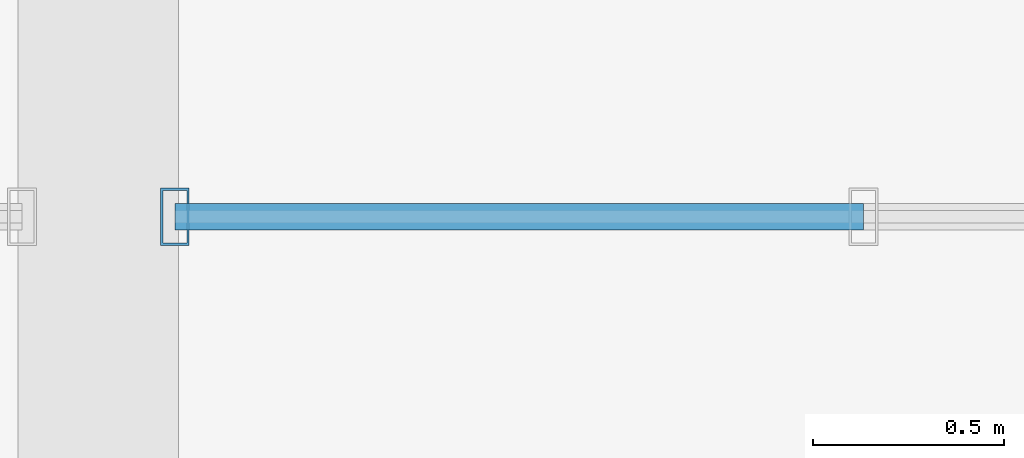
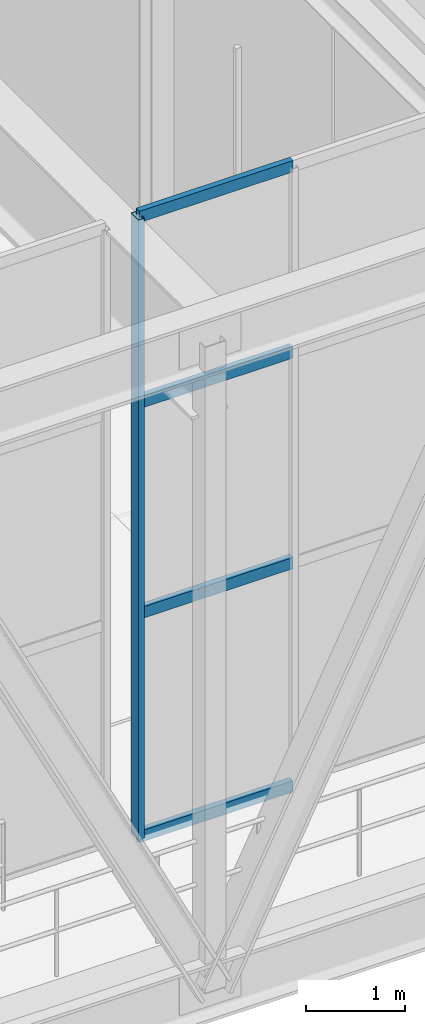
# One storey, part 28 of 138: 5 members, 1 element without a shape of its own.
"""IFC4 building model written with IfcOpenShell, lengths in metres."""

from ifc_helpers import new_model, si_unit, direction, frame, origin, origin_2d, place, context, subcontext, project, spatial, hollow_rectangle, extrude, material, material_profile, profile_set, type_object, element, aggregate, save


model = new_model("IFC4")

# Units and contexts
model_context = context("Model", 3, precision=1e-05, world=origin(), true_north=direction((0.0, 1.0)))
body_context = subcontext(model_context, "Body", "Model", "MODEL_VIEW")
ifc_project = project(units=[si_unit("LENGTHUNIT", "METRE"), si_unit("AREAUNIT", "SQUARE_METRE"), si_unit("VOLUMEUNIT", "CUBIC_METRE"), si_unit("PLANEANGLEUNIT", "RADIAN"), si_unit("MASSUNIT", "GRAM", prefix="KILO")], contexts=[model_context])

# Site, building, storey
site_placement = place(None, origin())
site = spatial("IfcSite", under=ifc_project, at=site_placement, CompositionType="ELEMENT")
building_placement = place(site_placement, origin())
building = spatial("IfcBuilding", under=site, at=building_placement, Name="Sundkrona Museum", CompositionType="ELEMENT")
storey_placement = place(building_placement, frame((0.0, 0.0, 9.60009765625)))
storey = spatial("IfcBuildingStorey", under=building, at=storey_placement, Name="L02", CompositionType="ELEMENT", Elevation=9.60009765625)

# Curtain wall, members
ifc_material_1 = material(Name="Unitised Aluminium-Steel and Ceramic-Clad Curtain Walling", Category="steel")
curtain_wall_type = type_object("IfcCurtainWallType", Name="CW-CV-36x74", PredefinedType="NOTDEFINED", material=ifc_material_1)
curtain_wall_placement = place(storey_placement, origin())
curtain_wall = element("IfcCurtainWall", 1, at=curtain_wall_placement, inside=storey, type_object=curtain_wall_type, Name="L02 Curtain Wall CW-L02-150", PredefinedType="NOTDEFINED")
ifc_material_2 = material(Name="Aluminium EN AW-6060 T66", Category="aluminium")
ifc_material_profile_1 = material_profile(ifc_material_2, hollow_rectangle(XDim=0.074951171875, YDim=0.14990234375, WallThickness=0.00634765625, at=origin_2d()), Name="RHS 150x75x6.3")
ifc_profile_set_1 = profile_set([ifc_material_profile_1], Name="Aluminium EN AW-6060 T66")
member_type_1 = type_object("IfcMemberType", Name="ML-150", PredefinedType="MULLION", material=ifc_profile_set_1)
member_1_placement = place(storey_placement, frame((20.199951171875, 33.800048828125, -0.004150390625), z_axis=(0.0, 0.0, 1.0), x_axis=(1.0, 0.0, 0.0)))
member_1 = element("IfcMember", 2, at=member_1_placement, type_object=member_type_1, Name="CW-L02-150 Mullion 01", PredefinedType="MULLION", context=body_context, shape_type="SweptSolid", body=[
    extrude(hollow_rectangle(XDim=0.074951171875, YDim=0.14990234375, WallThickness=0.00634765625, at=origin_2d()), origin(), (0.0, 0.0, 1.0), 7.68310546875),
])
ifc_material_profile_2 = material_profile(ifc_material_2, hollow_rectangle(XDim=0.070068359375, YDim=0.139892578125, WallThickness=0.0048828125, at=origin_2d()), Name="RHS 140x70x5.0")
ifc_profile_set_2 = profile_set([ifc_material_profile_2], Name="Aluminium EN AW-6060 T66")
member_type_2 = type_object("IfcMemberType", Name="TR-140", PredefinedType="USERDEFINED", material=ifc_profile_set_2)
member_2_placement = place(storey_placement, frame((20.199951171875, 33.800048828125, -0.004150390625), z_axis=(1.0, 0.0, 0.0), x_axis=(0.0, 1.0, 0.0)))
member_2 = element("IfcMember", 3, at=member_2_placement, type_object=member_type_2, Name="CW-L02-150 Transom 01", ObjectType="TRANSOM", PredefinedType="USERDEFINED", context=body_context, shape_type="SweptSolid", body=[
    extrude(hollow_rectangle(XDim=0.070068359375, YDim=0.139892578125, WallThickness=0.0048828125, at=origin_2d()), origin(), (0.0, 0.0, 1.0), 1.800048828125),
])
member_3_placement = place(storey_placement, frame((20.199951171875, 33.800048828125, 2.762939453125), z_axis=(1.0, 0.0, 0.0), x_axis=(0.0, 1.0, 0.0)))
member_3 = element("IfcMember", 4, at=member_3_placement, type_object=member_type_2, Name="CW-L02-150 Transom 02", ObjectType="TRANSOM", PredefinedType="USERDEFINED", context=body_context, shape_type="SweptSolid", body=[
    extrude(hollow_rectangle(XDim=0.070068359375, YDim=0.139892578125, WallThickness=0.0048828125, at=origin_2d()), origin(), (0.0, 0.0, 1.0), 1.800048828125),
])
member_4_placement = place(storey_placement, frame((20.199951171875, 33.800048828125, 5.371826171875), z_axis=(1.0, 0.0, 0.0), x_axis=(0.0, 1.0, 0.0)))
member_4 = element("IfcMember", 5, at=member_4_placement, type_object=member_type_2, Name="CW-L02-150 Transom 03", ObjectType="TRANSOM", PredefinedType="USERDEFINED", context=body_context, shape_type="SweptSolid", body=[
    extrude(hollow_rectangle(XDim=0.070068359375, YDim=0.139892578125, WallThickness=0.0048828125, at=origin_2d()), origin(), (0.0, 0.0, 1.0), 1.800048828125),
])
member_5_placement = place(storey_placement, frame((20.199951171875, 33.800048828125, 7.678955078125), z_axis=(1.0, 0.0, 0.0), x_axis=(0.0, 1.0, 0.0)))
member_5 = element("IfcMember", 6, at=member_5_placement, type_object=member_type_2, Name="CW-L02-150 Transom 04", ObjectType="TRANSOM", PredefinedType="USERDEFINED", context=body_context, shape_type="SweptSolid", body=[
    extrude(hollow_rectangle(XDim=0.070068359375, YDim=0.139892578125, WallThickness=0.0048828125, at=origin_2d()), origin(), (0.0, 0.0, 1.0), 1.800048828125),
])
aggregate(curtain_wall, [member_1, member_2, member_3, member_4, member_5])

save(model, "model.ifc")
